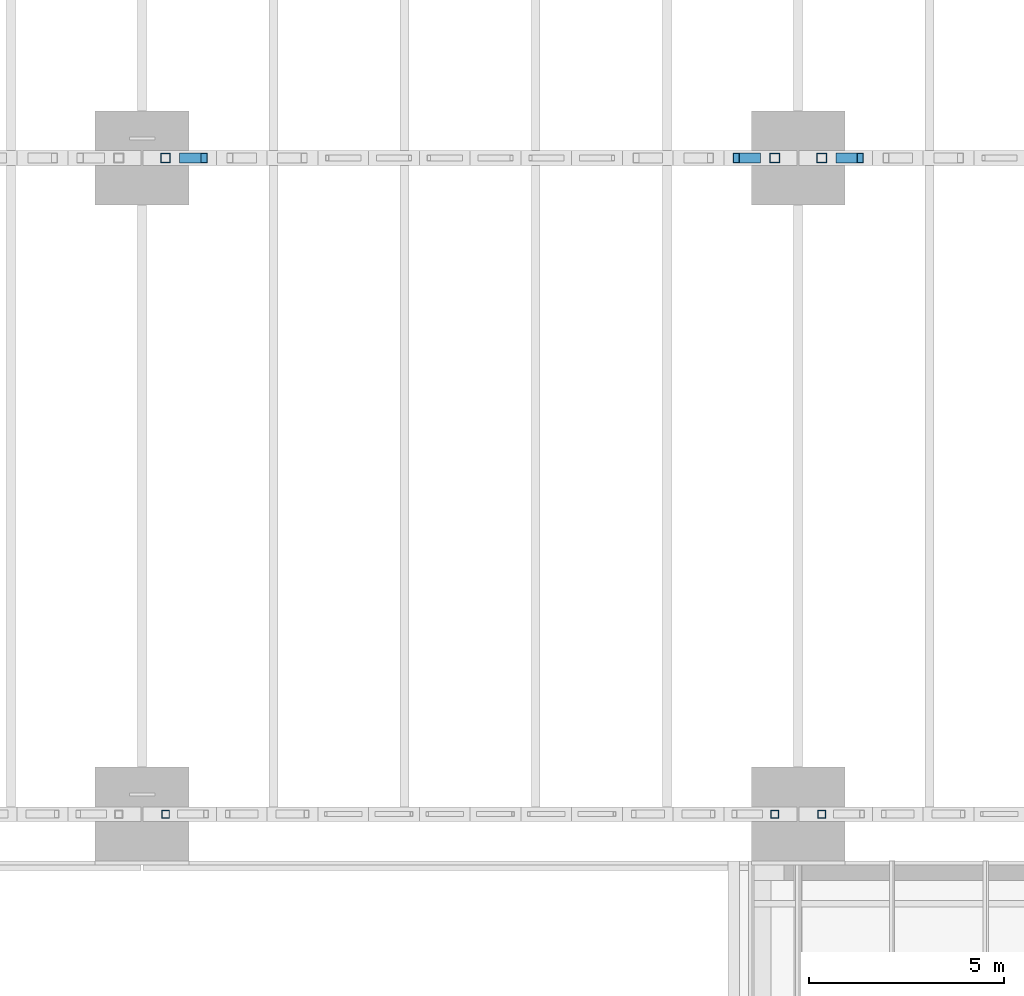
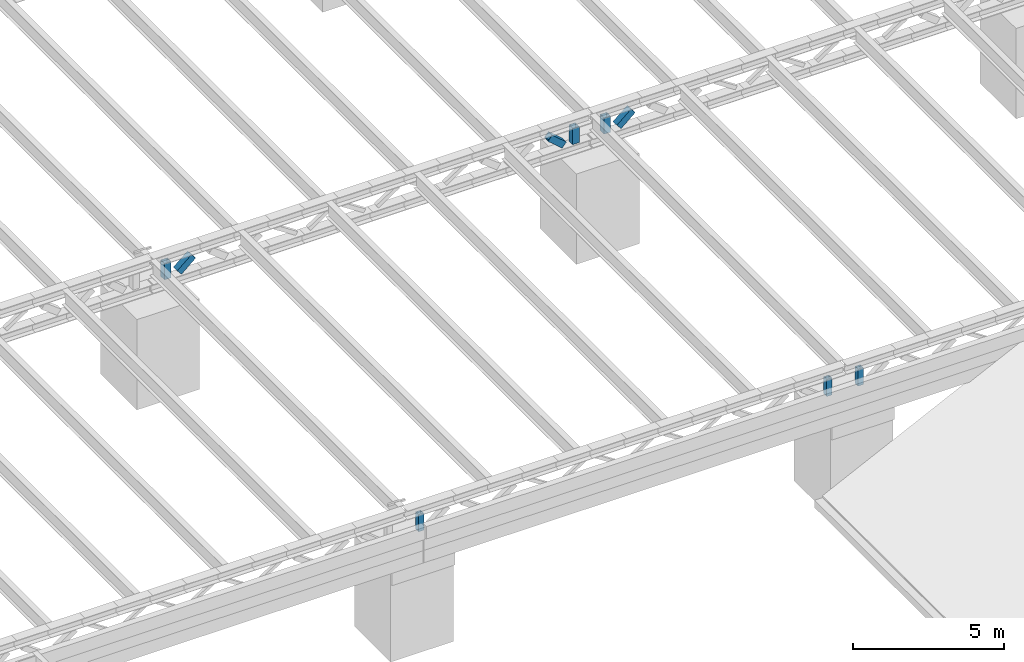
# One storey, part 42 of 93: 9 members.
"""IFC4 building model written with IfcOpenShell, lengths in metres."""

from ifc_helpers import new_model, si_unit, direction, frame, origin, origin_2d, place, context, subcontext, project, spatial, hollow_rectangle, extrude, material, material_profile, profile_set, type_object, element, save


model = new_model("IFC4")

# Units and contexts
model_context = context("Model", 3, precision=1e-05, world=origin(), true_north=direction((0.0, 1.0)))
body_context = subcontext(model_context, "Body", "Model", "MODEL_VIEW")
ifc_project = project(units=[si_unit("LENGTHUNIT", "METRE"), si_unit("AREAUNIT", "SQUARE_METRE"), si_unit("VOLUMEUNIT", "CUBIC_METRE"), si_unit("PLANEANGLEUNIT", "RADIAN"), si_unit("MASSUNIT", "GRAM", prefix="KILO")], contexts=[model_context])

# Site, building, storey
site_placement = place(None, origin())
site = spatial("IfcSite", under=ifc_project, at=site_placement, CompositionType="ELEMENT")
building_placement = place(site_placement, origin())
building = spatial("IfcBuilding", under=site, at=building_placement, Name="Verrick Yard Athletic Hall", CompositionType="ELEMENT")
storey_placement = place(building_placement, frame((0.0, 0.0, 8.800048828125)))
storey = spatial("IfcBuildingStorey", under=building, at=storey_placement, Name="L02", CompositionType="ELEMENT", Elevation=8.800048828125)

# Members
ifc_material = material(Name="Structural steel HSS Class C 350W (CSA G40.20/G40.21)", Category="steel")
ifc_material_profile_1 = material_profile(ifc_material, hollow_rectangle(XDim=0.203125, YDim=0.203125, WallThickness=0.0126953125, at=origin_2d()), Name="HSS203x203x13")
ifc_profile_set_1 = profile_set([ifc_material_profile_1], Name="Structural steel HSS Class C 350W (CSA G40.20/G40.21)")
member_type_1 = type_object("IfcMemberType", Name="STR Edge truss end post HSS203x203x13", PredefinedType="POST", material=ifc_profile_set_1)
for number, where, z_axis, x_axis, name in (
    (1, (74.199951171875, 19.199951171875, 4.005859375), (0.0, 0.0, 1.0), (1.0, 0.0, 0.0), "STR-TP-GA3-W"),
    (2, (89.800048828125, 19.199951171875, 4.005859375), (0.0, 0.0, 1.0), (1.0, 0.0, 0.0), "STR-TP-GA3-E"),
    (3, (91.0, 19.199951171875, 4.005859375), (0.0, 0.0, 1.0), (1.0, 0.0, 0.0), "STR-TP-GA4-W"),
):
    element("IfcMember", number, at=place(storey_placement, frame(where, z_axis=z_axis, x_axis=x_axis)), inside=storey, type_object=member_type_1, Name=name, PredefinedType="POST", context=body_context, shape_type="SweptSolid", body=[
        extrude(hollow_rectangle(XDim=0.203125, YDim=0.203125, WallThickness=0.0126953125, at=origin_2d()), origin(), (0.0, 0.0, 1.0), 0.68798828125),
    ])
ifc_material_profile_2 = material_profile(ifc_material, hollow_rectangle(XDim=0.25390625, YDim=0.25390625, WallThickness=0.0126953125, at=origin_2d()), Name="HSS254x254x13")
ifc_profile_set_2 = profile_set([ifc_material_profile_2], Name="Structural steel HSS Class C 350W (CSA G40.20/G40.21)")
member_type_2 = type_object("IfcMemberType", Name="STR Truss end post HSS254x254x13", PredefinedType="POST", material=ifc_profile_set_2)
for number, where, z_axis, x_axis, name in (
    (4, (74.199951171875, 36.0, 4.02197265625), (0.0, 0.0, 1.0), (1.0, 0.0, 0.0), "STR-TP-GB3-W"),
    (5, (89.800048828125, 36.0, 4.02197265625), (0.0, 0.0, 1.0), (1.0, 0.0, 0.0), "STR-TP-GB3-E"),
    (6, (91.0, 36.0, 4.02197265625), (0.0, 0.0, 1.0), (1.0, 0.0, 0.0), "STR-TP-GB4-W"),
):
    element("IfcMember", number, at=place(storey_placement, frame(where, z_axis=z_axis, x_axis=x_axis)), inside=storey, type_object=member_type_2, Name=name, PredefinedType="POST", context=body_context, shape_type="SweptSolid", body=[
        extrude(hollow_rectangle(XDim=0.25390625, YDim=0.25390625, WallThickness=0.0126953125, at=origin_2d()), origin(), (0.0, 0.0, 1.0), 0.656005859375),
    ])
ifc_material_profile_3 = material_profile(ifc_material, hollow_rectangle(XDim=0.25390625, YDim=0.25390625, WallThickness=0.0126953125, at=origin_2d()), Name="HSS254x254x13")
ifc_profile_set_3 = profile_set([ifc_material_profile_3], Name="Structural steel HSS Class C 350W (CSA G40.20/G40.21)")
member_type_3 = type_object("IfcMemberType", Name="STR Truss web HSS254x254x13", PredefinedType="BRACE", material=ifc_profile_set_3)
for number, where, z_axis, x_axis, name in (
    (7, (74.64453125, 36.0, 4.117919921875), (0.76014857208, 0.0, 0.649749296548), (0.0, 1.0, 0.0), "STR-TW-GB3-1"),
    (8, (88.8125, 36.0, 4.58203125), (0.76014857208, 0.0, -0.649749296548), (0.0, 1.0, 0.0), "STR-TW-GB3-12"),
    (9, (91.444580078125, 36.0, 4.117919921875), (0.76014857208, 0.0, 0.649749296548), (0.0, 1.0, 0.0), "STR-TW-GB4-1"),
):
    element("IfcMember", number, at=place(storey_placement, frame(where, z_axis=z_axis, x_axis=x_axis)), inside=storey, type_object=member_type_3, Name=name, PredefinedType="BRACE", context=body_context, shape_type="SweptSolid", body=[
        extrude(hollow_rectangle(XDim=0.25390625, YDim=0.25390625, WallThickness=0.0126953125, at=origin_2d()), origin(), (0.0, 0.0, 1.0), 0.71435546875),
    ])

save(model, "model.ifc")
